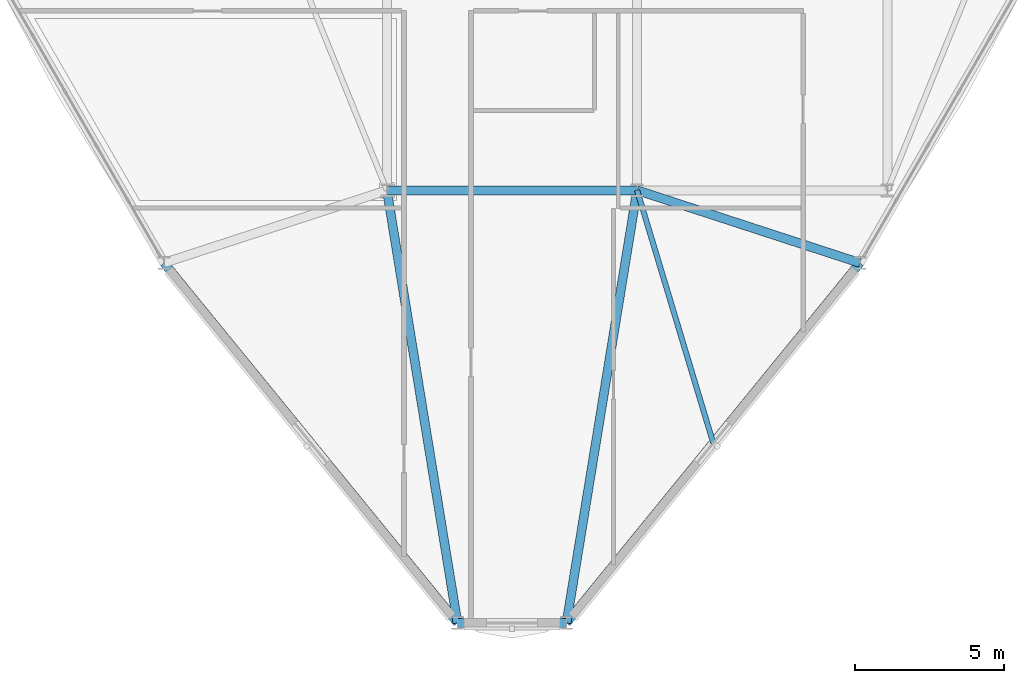
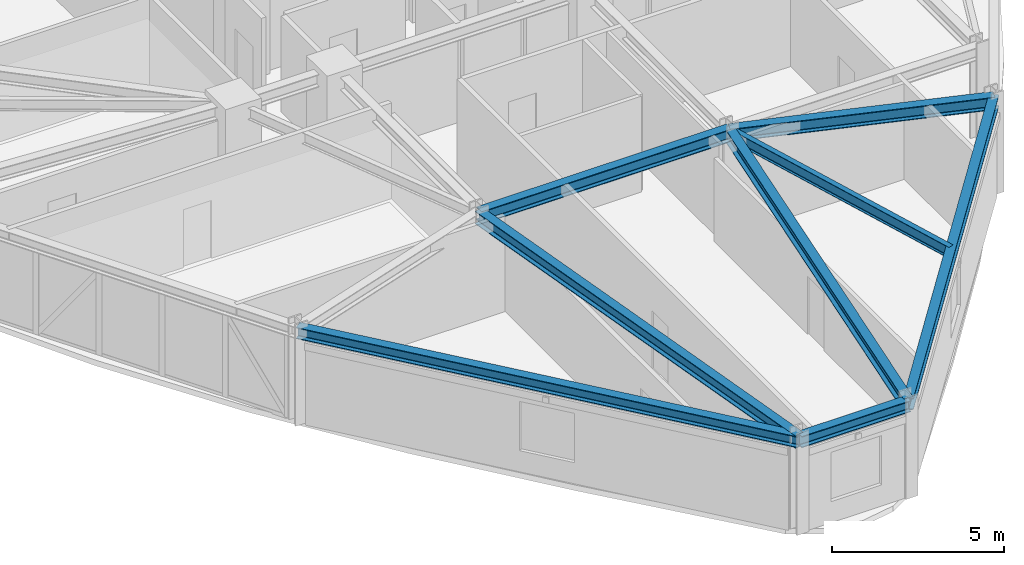
# One storey, part 3 of 18: 8 beams.
"""IFC4 building model written with IfcOpenShell, lengths in metres."""

import ifcopenshell
import ifcopenshell.guid

model = None  # the IFC model being written
_history = None  # IfcOwnerHistory: only IFC2X3 demands one
_inside = {}  # id of a spatial element -> (the spatial element, [elements in it])
_under = {}  # id of a project, library or spatial element -> (it, [spatial elements below it])
_declared = {}  # id of a project -> (the project, [libraries it declares])
_typed = {}  # id of a type object -> (the type object, [elements of that type])
_made_of = {}  # id of a material, layer set ... -> (it, [elements and type objects made of it])


def new_model(schema):
    """Start an empty IFC model of exactly this schema.

    Asked for "IFC4X3", IfcOpenShell would pick the latest addendum, in which some entities
    have other attributes; the version numbers below select the first issue.
    IFC2X3 requires an IfcOwnerHistory on every rooted entity: one is made here for all.
    """
    global model, _history
    if schema == "IFC4X3":
        model = ifcopenshell.file(schema_version=(4, 3, 0, 0))
    else:
        model = ifcopenshell.file(schema=schema)
    _inside.clear()
    _under.clear()
    _declared.clear()
    _typed.clear()
    _made_of.clear()
    _history = None
    if model.schema == "IFC2X3":
        org = make("IfcOrganization", Name="unknown")
        user = make(
            "IfcPersonAndOrganization",
            ThePerson=make("IfcPerson", FamilyName="unknown"),
            TheOrganization=org,
        )
        app = make(
            "IfcApplication",
            ApplicationDeveloper=org,
            Version="unknown",
            ApplicationFullName="unknown",
            ApplicationIdentifier="unknown",
        )
        _history = make(
            "IfcOwnerHistory",
            OwningUser=user,
            OwningApplication=app,
            ChangeAction="ADDED",
            CreationDate=0,
        )
    return model


def make(cls, **values):
    """One entity of the class cls with the attributes given. An attribute that is None is left unset."""
    return model.create_entity(
        cls, **{name: value for name, value in values.items() if value is not None}
    )


def rooted(cls, **values):
    """An entity with a GlobalId (a new one), such as an element, a storey or a relation."""
    return make(cls, GlobalId=ifcopenshell.guid.new(), OwnerHistory=_history, **values)


def si_unit(unit_type, name, prefix=None):
    """IfcSIUnit, for example si_unit("LENGTHUNIT", "METRE", prefix="MILLI")."""
    return make("IfcSIUnit", UnitType=unit_type, Prefix=prefix, Name=name)


def derived_unit(unit_type, elements):
    """IfcDerivedUnit: a product of units, each with its exponent."""
    return make(
        "IfcDerivedUnit",
        Elements=[
            make("IfcDerivedUnitElement", Unit=unit, Exponent=power)
            for unit, power in elements
        ],
        UnitType=unit_type,
    )


def assignment(units):
    """IfcUnitAssignment: the units of a project."""
    return None if units is None else make("IfcUnitAssignment", Units=units)


def point(xyz):
    """IfcCartesianPoint."""
    return None if xyz is None else make("IfcCartesianPoint", Coordinates=xyz)


def direction(xyz):
    """IfcDirection."""
    return None if xyz is None else make("IfcDirection", DirectionRatios=xyz)


def frame(location, z_axis=None, x_axis=None):
    """IfcAxis2Placement3D, a coordinate frame: its origin and axes. An axis left out is left unset."""
    return make(
        "IfcAxis2Placement3D",
        Location=point(location),
        Axis=direction(z_axis),
        RefDirection=direction(x_axis),
    )


def frame_2d(location, x_axis=None):
    """IfcAxis2Placement2D, a coordinate frame in the plane: its origin and x axis."""
    return make(
        "IfcAxis2Placement2D", Location=point(location), RefDirection=direction(x_axis)
    )


def origin():
    """The frame at (0, 0, 0) with its axes left unset."""
    return frame((0.0, 0.0, 0.0))


def origin_2d():
    """The frame at (0, 0) in the plane with its x axis left unset."""
    return frame_2d((0.0, 0.0))


def place(relative_to, where):
    """IfcLocalPlacement: puts the frame where relative to a parent placement (None: the world)."""
    return make(
        "IfcLocalPlacement", PlacementRelTo=relative_to, RelativePlacement=where
    )


def context(
    kind, dimensions, precision=None, world=None, true_north=None, identifier=None
):
    """IfcGeometricRepresentationContext, for example the 3D "Model" context."""
    return make(
        "IfcGeometricRepresentationContext",
        ContextIdentifier=identifier,
        ContextType=kind,
        CoordinateSpaceDimension=dimensions,
        Precision=precision,
        WorldCoordinateSystem=world,
        TrueNorth=true_north,
    )


def subcontext(parent, identifier, kind, view, scale=None):
    """IfcGeometricRepresentationSubContext, for example "Body" below "Model"."""
    return make(
        "IfcGeometricRepresentationSubContext",
        ContextIdentifier=identifier,
        ContextType=kind,
        ParentContext=parent,
        TargetScale=scale,
        TargetView=view,
    )


def project(units=None, contexts=None):
    """IfcProject with its units and contexts."""
    return rooted(
        "IfcProject",
        Name="project",
        RepresentationContexts=contexts,
        UnitsInContext=assignment(units),
    )


def spatial(cls, under=None, at=None, **own):
    """A site, building, storey or space (cls), placed at a placement, below another one or the project."""
    s = rooted(cls, ObjectPlacement=at, **own)
    if under is not None:
        _under.setdefault(under.id(), (under, []))[1].append(s)
    return s


def profile(cls, at=None, kind="AREA", **sizes):
    """A parametric profile (cls). Its sizes go by their IFC names, for example OverallWidth=200.0."""
    return make(cls, ProfileType=kind, Position=at, **sizes)


def i_section(**sizes):
    """IfcIShapeProfileDef."""
    return profile("IfcIShapeProfileDef", **sizes)


def extrude(swept, where, along, depth):
    """IfcExtrudedAreaSolid: the profile swept, set in the frame where, extruded along a direction by depth."""
    return make(
        "IfcExtrudedAreaSolid",
        SweptArea=swept,
        Position=where,
        ExtrudedDirection=direction(along),
        Depth=depth,
    )


def shape(context_of_items, identifier, shape_type, items):
    """IfcShapeRepresentation: the items that make up one representation, for example the "Body"."""
    return make(
        "IfcShapeRepresentation",
        ContextOfItems=context_of_items,
        RepresentationIdentifier=identifier,
        RepresentationType=shape_type,
        Items=items,
    )


def source(mapping_origin, context_of_items, identifier, shape_type, items):
    """IfcRepresentationMap: a shape defined once, which mapped items show again and again."""
    return make(
        "IfcRepresentationMap",
        MappingOrigin=mapping_origin,
        MappedRepresentation=shape(context_of_items, identifier, shape_type, items),
    )


def transform(
    local_origin,
    x_axis=None,
    y_axis=None,
    z_axis=None,
    scale=None,
    scale2=None,
    scale3=None,
    uniform=True,
):
    """IfcCartesianTransformationOperator3D, or its non-uniform kind. x_axis, y_axis, z_axis: its Axis1, 2, 3."""
    if uniform:
        return make(
            "IfcCartesianTransformationOperator3D",
            Axis1=direction(x_axis),
            Axis2=direction(y_axis),
            LocalOrigin=point(local_origin),
            Scale=scale,
            Axis3=direction(z_axis),
        )
    return make(
        "IfcCartesianTransformationOperator3DnonUniform",
        Axis1=direction(x_axis),
        Axis2=direction(y_axis),
        LocalOrigin=point(local_origin),
        Scale=scale,
        Axis3=direction(z_axis),
        Scale2=scale2,
        Scale3=scale3,
    )


def mapped(mapping_source, mapping_target):
    """IfcMappedItem: shows the shape of a source again, moved by a transform."""
    return make(
        "IfcMappedItem", MappingSource=mapping_source, MappingTarget=mapping_target
    )


def material(Name=None, Category=None):
    """IfcMaterial."""
    return make("IfcMaterial", Name=Name, Category=Category)


def material_profile(
    of_material, cross_section, Name=None, Category=None, Priority=None
):
    """IfcMaterialProfile: a cross section and its material."""
    return make(
        "IfcMaterialProfile",
        Name=Name,
        Material=of_material,
        Profile=cross_section,
        Priority=Priority,
        Category=Category,
    )


def profile_set(profiles, Name=None, composite=None):
    """IfcMaterialProfileSet."""
    return make(
        "IfcMaterialProfileSet",
        Name=Name,
        MaterialProfiles=profiles,
        CompositeProfile=composite,
    )


def made_of(thing, what):
    """Note that an element or type object is made of a material, layer set ...; save() writes the relation."""
    if what is not None:
        _made_of.setdefault(what.id(), (what, []))[1].append(thing)
    return thing


def type_object(cls, material=None, **own):
    """A type object (cls), such as IfcWallType, which elements share."""
    return made_of(rooted(cls, **own), material)


def element(
    cls,
    number,
    at=None,
    inside=None,
    cuts=None,
    type_object=None,
    material=None,
    context=None,
    identifier="Body",
    shape_type=None,
    held_by="IfcProductDefinitionShape",
    body=None,
    shapes=None,
    **own,
):
    """One element of the class cls, such as IfcWall. Its Tag is "e" and its number.

    at: its placement. inside: the storey or other place that contains it. cuts: it is an
    opening in that element (IfcRelVoidsElement). A single representation is given by context,
    identifier, shape_type and body (its items); several are given by shapes. held_by: the class
    of the entity that holds the representations. save() writes the other relations.
    """
    e = rooted(cls, Tag="e%d" % number, ObjectPlacement=at, **own)
    if body is not None:
        shapes = [shape(context, identifier, shape_type, body)]
    if shapes is not None:
        e.Representation = make(held_by, Representations=shapes)
    if inside is not None:
        _inside.setdefault(inside.id(), (inside, []))[1].append(e)
    if cuts is not None:
        rooted(
            "IfcRelVoidsElement", RelatingBuildingElement=cuts, RelatedOpeningElement=e
        )
    if type_object is not None:
        _typed.setdefault(type_object.id(), (type_object, []))[1].append(e)
    return made_of(e, material)


def aggregate(whole, parts):
    """IfcRelAggregates: a whole, such as a stair, and the parts it consists of."""
    return rooted("IfcRelAggregates", RelatingObject=whole, RelatedObjects=parts)


def save(model, path):
    """Write the relations noted so far, then the file.

    IfcRelAggregates (storeys below a building ...), IfcRelContainedInSpatialStructure (elements
    in a storey), IfcRelDefinesByType, IfcRelAssociatesMaterial and IfcRelDeclares: one each for
    every whole, place, type object, material and project.
    """
    for whole, parts in _under.values():
        aggregate(whole, parts)
    for where, things in _inside.values():
        rooted(
            "IfcRelContainedInSpatialStructure",
            RelatedElements=things,
            RelatingStructure=where,
        )
    for kind, things in _typed.values():
        rooted("IfcRelDefinesByType", RelatedObjects=things, RelatingType=kind)
    for what, things in _made_of.values():
        rooted("IfcRelAssociatesMaterial", RelatedObjects=things, RelatingMaterial=what)
    for by, libraries in _declared.values():
        rooted("IfcRelDeclares", RelatingContext=by, RelatedDefinitions=libraries)
    model.write(path)


model = new_model("IFC4")

# Units and contexts
model_context = context("Model", 3, precision=1e-05, world=origin(), true_north=direction((0.0, 1.0)))
body_context = subcontext(model_context, "Body", "Model", "MODEL_VIEW")
ifc_project = project(units=[si_unit("LENGTHUNIT", "METRE"), si_unit("AREAUNIT", "SQUARE_METRE"), si_unit("VOLUMEUNIT", "CUBIC_METRE"), si_unit("PLANEANGLEUNIT", "RADIAN"), si_unit("MASSUNIT", "GRAM", prefix="KILO"), derived_unit("THERMALTRANSMITTANCEUNIT", [(si_unit("POWERUNIT", "WATT"), 1), (si_unit("LENGTHUNIT", "METRE"), -2), (si_unit("THERMODYNAMICTEMPERATUREUNIT", "KELVIN"), -1)])], contexts=[model_context])

# Site, building, storey
site_placement = place(None, origin())
site = spatial("IfcSite", under=ifc_project, at=site_placement, CompositionType="ELEMENT")
building_placement = place(site_placement, origin())
building = spatial("IfcBuilding", under=site, at=building_placement, Name="Korsvarv Bourse and Concert Hall", CompositionType="ELEMENT")
storey_placement = place(building_placement, frame((0.0, 0.0, 139.800048828125)))
storey = spatial("IfcBuildingStorey", under=building, at=storey_placement, Name="L35", CompositionType="ELEMENT", Elevation=139.800048828125)

# Beams
ifc_material = material(Name="Steel S355", Category="steel")
ifc_material_profile_1 = material_profile(ifc_material, i_section(OverallWidth=0.300048828125, OverallDepth=0.449951171875, WebThickness=0.013916015625, FlangeThickness=0.02587890625, FilletRadius=0.02099609375, at=origin_2d()), Name="HEB 450")
ifc_profile_set_1 = profile_set([ifc_material_profile_1], Name="Steel S355")
beam_type_1 = type_object("IfcBeamType", Name="BM-HEB450", PredefinedType="SPANDREL", material=ifc_profile_set_1)
shared_shape_1 = source(origin(), body_context, "Body", "SweptSolid", [
    extrude(i_section(OverallWidth=0.300048828125, OverallDepth=0.449951171875, WebThickness=0.013916015625, FlangeThickness=0.02587890625, FilletRadius=0.02099609375, at=origin_2d()), origin(), (0.0, 0.0, 1.0), 8.39990234375),
])
beam_1_placement = place(storey_placement, frame((27.60009765625, 24.0, 3.175048828125), z_axis=(1.0, 0.0, 0.0), x_axis=(0.0, 1.0, 0.0)))
element("IfcBeam", 1, at=beam_1_placement, inside=storey, type_object=beam_type_1, Name="L35 beam B-08", PredefinedType="SPANDREL", context=body_context, shape_type="MappedRepresentation", body=[
    mapped(shared_shape_1, transform((0.0, 0.0, 0.0), scale=1.0)),
])
ifc_material_profile_2 = material_profile(ifc_material, i_section(OverallWidth=0.300048828125, OverallDepth=0.39990234375, WebThickness=0.013427734375, FlangeThickness=0.02392578125, FilletRadius=0.02099609375, at=origin_2d()), Name="HEB 400")
ifc_profile_set_2 = profile_set([ifc_material_profile_2], Name="Steel S355")
beam_type_2 = type_object("IfcBeamType", Name="BM-HEB400", PredefinedType="SPANDREL", material=ifc_profile_set_2)
shared_shape_2 = source(origin(), body_context, "Body", "SweptSolid", [
    extrude(i_section(OverallWidth=0.300048828125, OverallDepth=0.39990234375, WebThickness=0.013427734375, FlangeThickness=0.02392578125, FilletRadius=0.02099609375, at=origin_2d()), origin(), (0.0, 0.0, 1.0), 3.659423828125),
])
beam_2_placement = place(storey_placement, frame((29.97021484375, 9.47509765625, 3.199951171875), z_axis=(1.0, 0.0, 0.0), x_axis=(0.0, 1.0, 0.0)))
element("IfcBeam", 2, at=beam_2_placement, inside=storey, type_object=beam_type_2, Name="L35 beam B-09", PredefinedType="SPANDREL", context=body_context, shape_type="MappedRepresentation", body=[
    mapped(shared_shape_2, transform((0.0, 0.0, 0.0), scale=1.0)),
])
shared_shape_3 = source(origin(), body_context, "Body", "SweptSolid", [
    extrude(i_section(OverallWidth=0.300048828125, OverallDepth=0.39990234375, WebThickness=0.013427734375, FlangeThickness=0.02392578125, FilletRadius=0.02099609375, at=origin_2d()), origin(), (0.0, 0.0, 1.0), 15.5927734375),
])
beam_3_placement = place(storey_placement, frame((33.629638671875, 9.47509765625, 3.199951171875), z_axis=(0.63188029376, 0.77506599355, 0.0), x_axis=(-0.77506599355, 0.63188029376, 0.0)))
element("IfcBeam", 3, at=beam_3_placement, inside=storey, type_object=beam_type_2, Name="L35 beam B-09", PredefinedType="SPANDREL", context=body_context, shape_type="MappedRepresentation", body=[
    mapped(shared_shape_3, transform((0.0, 0.0, 0.0), scale=1.0)),
])
shared_shape_4 = source(origin(), body_context, "Body", "SweptSolid", [
    extrude(i_section(OverallWidth=0.300048828125, OverallDepth=0.39990234375, WebThickness=0.013427734375, FlangeThickness=0.02392578125, FilletRadius=0.02099609375, at=origin_2d()), origin(), (0.0, 0.0, 1.0), 15.592529296875),
])
beam_4_placement = place(storey_placement, frame((20.11767578125, 21.560546875, 3.199951171875), z_axis=(0.631870887873, -0.775073661698, 0.0), x_axis=(0.775073661698, 0.631870887873, 0.0)))
element("IfcBeam", 4, at=beam_4_placement, inside=storey, type_object=beam_type_2, Name="L35 beam B-09", PredefinedType="SPANDREL", context=body_context, shape_type="MappedRepresentation", body=[
    mapped(shared_shape_4, transform((0.0, 0.0, 0.0), scale=1.0)),
])
shared_shape_5 = source(origin(), body_context, "Body", "SweptSolid", [
    extrude(i_section(OverallWidth=0.300048828125, OverallDepth=0.449951171875, WebThickness=0.013916015625, FlangeThickness=0.02587890625, FilletRadius=0.02099609375, at=origin_2d()), origin(), (0.0, 0.0, 1.0), 7.8701171875),
])
beam_5_placement = place(storey_placement, frame((43.482421875, 21.560546875, 3.175048828125), z_axis=(-0.950747329808, 0.309966957695, 0.0), x_axis=(-0.309966957695, -0.950747329808, 0.0)))
element("IfcBeam", 5, at=beam_5_placement, inside=storey, type_object=beam_type_1, Name="L35 beam B-08", PredefinedType="SPANDREL", context=body_context, shape_type="MappedRepresentation", body=[
    mapped(shared_shape_5, transform((0.0, 0.0, 0.0), scale=1.0)),
])
shared_shape_6 = source(origin(), body_context, "Body", "SweptSolid", [
    extrude(i_section(OverallWidth=0.300048828125, OverallDepth=0.449951171875, WebThickness=0.013916015625, FlangeThickness=0.02587890625, FilletRadius=0.02099609375, at=origin_2d()), origin(), (0.0, 0.0, 1.0), 14.717041015625),
])
for number, where, z_axis, x_axis, name in (
    (6, (29.97021484375, 9.47509765625, 3.175048828125), (-0.161046160341, 0.986946875085, 0.0), (-0.986946875085, -0.161046160341, 0.0), "L35 beam B-08"),
    (7, (33.629638671875, 9.47509765625, 3.175048828125), (0.161062319041, 0.986944238235, 0.0), (-0.986944238235, 0.161062319041, 0.0), "L35 beam B-08"),
):
    element("IfcBeam", number, at=place(storey_placement, frame(where, z_axis=z_axis, x_axis=x_axis)), inside=storey, type_object=beam_type_1, Name=name, PredefinedType="SPANDREL", context=body_context, shape_type="MappedRepresentation", body=[
        mapped(shared_shape_6, transform((0.0, 0.0, 0.0), scale=1.0)),
    ])
ifc_material_profile_3 = material_profile(ifc_material, i_section(OverallWidth=0.179931640625, OverallDepth=0.39990234375, WebThickness=0.008544921875, FlangeThickness=0.013427734375, FilletRadius=0.02099609375, at=origin_2d()), Name="IPE 400")
ifc_profile_set_3 = profile_set([ifc_material_profile_3], Name="Steel S355")
beam_type_3 = type_object("IfcBeamType", Name="BM-IPE400", PredefinedType="JOIST", material=ifc_profile_set_3)
shared_shape_7 = source(origin(), body_context, "Body", "SweptSolid", [
    extrude(i_section(OverallWidth=0.179931640625, OverallDepth=0.39990234375, WebThickness=0.008544921875, FlangeThickness=0.013427734375, FilletRadius=0.02099609375, at=origin_2d()), origin(), (0.0, 0.0, 1.0), 8.859130859375),
])
beam_6_placement = place(storey_placement, frame((38.555908203125, 15.517578125, 3.199951171875), z_axis=(-0.288505620925, 0.957478201681, 0.0), x_axis=(-0.957478201681, -0.288505620925, 0.0)))
element("IfcBeam", 8, at=beam_6_placement, inside=storey, type_object=beam_type_3, Name="L35 beam J-05", PredefinedType="JOIST", context=body_context, shape_type="MappedRepresentation", body=[
    mapped(shared_shape_7, transform((0.0, 0.0, 0.0), scale=1.0)),
])

save(model, "model.ifc")
